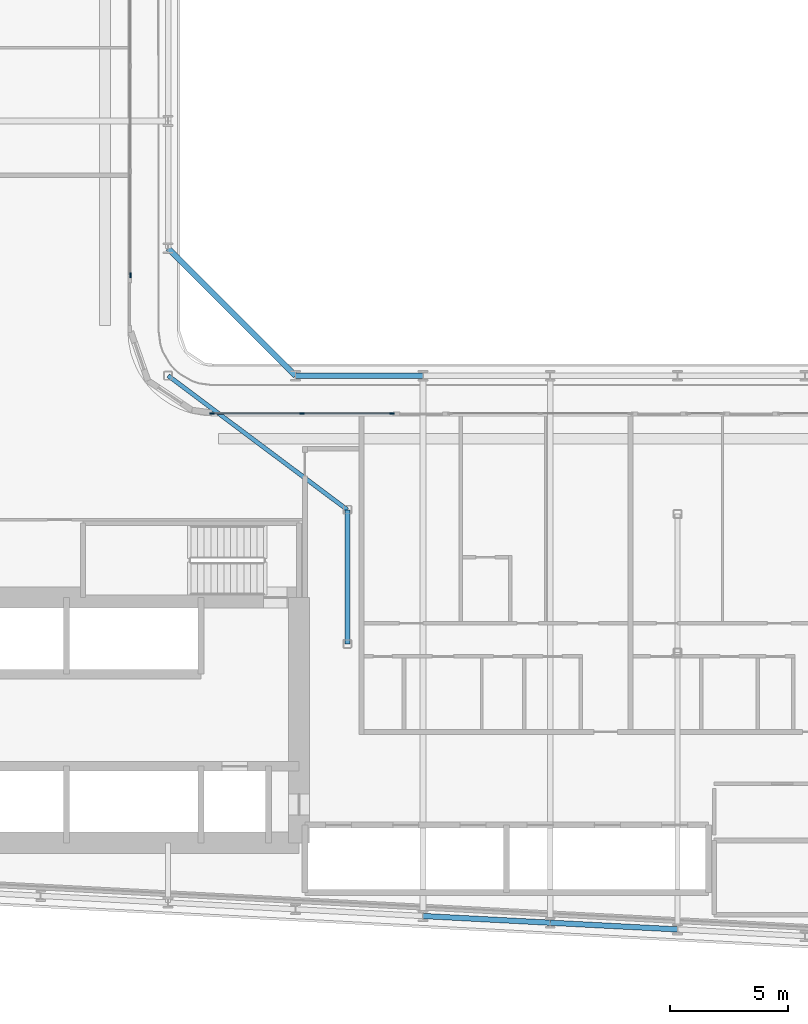
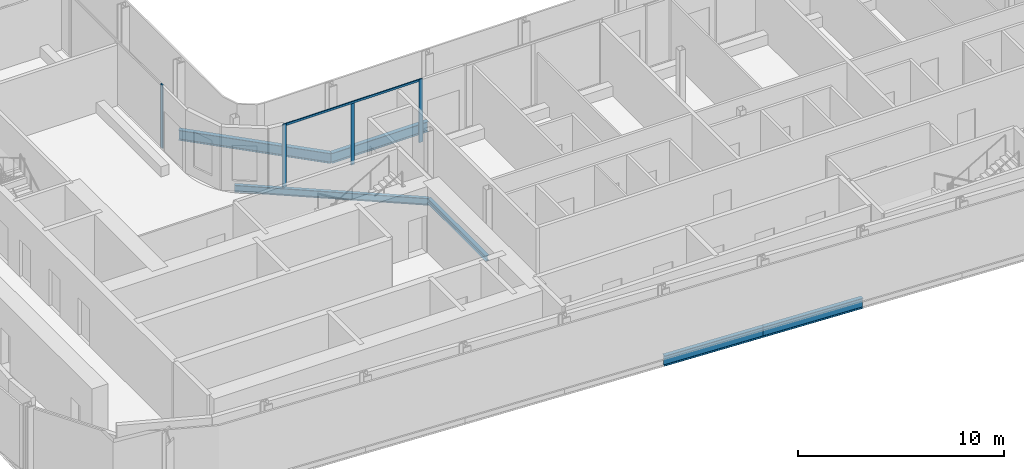
# One storey, part 4 of 25: 6 beams, 5 members, 2 elements without a shape of their own.
"""IFC4 building model written with IfcOpenShell, lengths in metres."""

from ifc_helpers import new_model, si_unit, direction, frame, origin, origin_2d, place, context, subcontext, project, spatial, rectangle, i_section, extrude, material, layer, layer_set, material_profile, profile_set, type_object, element, aggregate, save


model = new_model("IFC4")

# Units and contexts
model_context = context("Model", 3, precision=1e-05, world=origin(), true_north=direction((0.0, 1.0)))
body_context = subcontext(model_context, "Body", "Model", "MODEL_VIEW")
ifc_project = project(units=[si_unit("LENGTHUNIT", "METRE"), si_unit("AREAUNIT", "SQUARE_METRE"), si_unit("VOLUMEUNIT", "CUBIC_METRE"), si_unit("PLANEANGLEUNIT", "RADIAN"), si_unit("MASSUNIT", "GRAM", prefix="KILO")], contexts=[model_context])

# Site, building, storey
site_placement = place(None, origin())
site = spatial("IfcSite", under=ifc_project, at=site_placement, CompositionType="ELEMENT")
building_placement = place(site_placement, origin())
building = spatial("IfcBuilding", under=site, at=building_placement, Name="Kheshtan School and Residences Tower", CompositionType="ELEMENT")
storey_placement = place(building_placement, frame((0.0, 0.0, 109.699951171875)))
storey = spatial("IfcBuildingStorey", under=building, at=storey_placement, Name="L25", CompositionType="ELEMENT", Elevation=109.699951171875)

# Beams
ifc_material_1 = material(Name="Steel ASTM A992 Grade 50", Category="steel")
ifc_material_profile_1 = material_profile(ifc_material_1, i_section(OverallWidth=0.202880859375, OverallDepth=0.302978515625, WebThickness=0.007568359375, FlangeThickness=0.01318359375, FilletRadius=0.009033203125, at=origin_2d()), Name="W310x60")
ifc_profile_set_1 = profile_set([ifc_material_profile_1], Name="Steel ASTM A992 Grade 50")
beam_type_1 = type_object("IfcBeamType", Name="Beam FB1 W310x60 ASTM A992 Grade 50", PredefinedType="BEAM", material=ifc_profile_set_1)
beam_1_placement = place(storey_placement, frame((55.199951171875, 34.23193359375, -0.301513671875), z_axis=(0.0, 1.0, 0.0), x_axis=(-1.0, 0.0, 0.0)))
element("IfcBeam", 1, at=beam_1_placement, inside=storey, type_object=beam_type_1, Name="Floor beam IC", PredefinedType="BEAM", context=body_context, shape_type="SweptSolid", body=[
    extrude(i_section(OverallWidth=0.202880859375, OverallDepth=0.302978515625, WebThickness=0.007568359375, FlangeThickness=0.01318359375, FilletRadius=0.009033203125, at=origin_2d()), origin(), (0.0, 0.0, 1.0), 5.68408203125),
])
ifc_material_profile_2 = material_profile(ifc_material_1, i_section(OverallWidth=0.180908203125, OverallDepth=0.4169921875, WebThickness=0.010986328125, FlangeThickness=0.018310546875, FilletRadius=0.012451171875, at=origin_2d()), Name="W410x85")
ifc_profile_set_2 = profile_set([ifc_material_profile_2], Name="Steel ASTM A992 Grade 50")
beam_type_2 = type_object("IfcBeamType", Name="Beam FB3 W410x85 ASTM A992 Grade 50", PredefinedType="BEAM", material=ifc_profile_set_2)
beam_2_placement = place(storey_placement, frame((47.60009765625, 45.60009765625, -0.3583984375), z_axis=(0.800798828004, -0.598933416222, 0.0), x_axis=(0.598933416222, 0.800798828004, 0.0)))
element("IfcBeam", 2, at=beam_2_placement, inside=storey, type_object=beam_type_2, Name="Floor beam IC", PredefinedType="BEAM", context=body_context, shape_type="SweptSolid", body=[
    extrude(i_section(OverallWidth=0.180908203125, OverallDepth=0.4169921875, WebThickness=0.010986328125, FlangeThickness=0.018310546875, FilletRadius=0.012451171875, at=origin_2d()), origin(), (0.0, 0.0, 1.0), 9.490234375),
])
ifc_material_profile_3 = material_profile(ifc_material_1, i_section(OverallWidth=0.22802734375, OverallDepth=0.60302734375, WebThickness=0.010498046875, FlangeThickness=0.014892578125, FilletRadius=0.013427734375, at=origin_2d()), Name="W610x101")
ifc_profile_set_3 = profile_set([ifc_material_profile_3], Name="Steel ASTM A992 Grade 50")
beam_type_3 = type_object("IfcBeamType", Name="Beam SP2 W610x101 ASTM A992 Grade 50", PredefinedType="BEAM", material=ifc_profile_set_3)
beam_3_placement = place(storey_placement, frame((47.60009765625, 51.0, -0.451416015625), z_axis=(0.707106781187, -0.707106781187, 0.0), x_axis=(0.707106781187, 0.707106781187, 0.0)))
element("IfcBeam", 3, at=beam_3_placement, inside=storey, type_object=beam_type_3, Name="Spandrel beam C079-C061", PredefinedType="BEAM", context=body_context, shape_type="SweptSolid", body=[
    extrude(i_section(OverallWidth=0.22802734375, OverallDepth=0.60302734375, WebThickness=0.010498046875, FlangeThickness=0.014892578125, FilletRadius=0.013427734375, at=origin_2d()), origin(), (0.0, 0.0, 1.0), 7.63671875),
])
beam_4_placement = place(storey_placement, frame((53.0, 45.60009765625, -0.451416015625), z_axis=(1.0, 0.0, 0.0), x_axis=(0.0, 1.0, 0.0)))
element("IfcBeam", 4, at=beam_4_placement, inside=storey, type_object=beam_type_3, Name="Spandrel beam C061-C062", PredefinedType="BEAM", context=body_context, shape_type="SweptSolid", body=[
    extrude(i_section(OverallWidth=0.22802734375, OverallDepth=0.60302734375, WebThickness=0.010498046875, FlangeThickness=0.014892578125, FilletRadius=0.013427734375, at=origin_2d()), origin(), (0.0, 0.0, 1.0), 5.39990234375),
])
beam_5_placement = place(storey_placement, frame((69.199951171875, 22.126953125, -0.451416015625), z_axis=(-0.998620447272, 0.05250906864, 0.0), x_axis=(-0.05250906864, -0.998620447272, 0.0)))
element("IfcBeam", 5, at=beam_5_placement, inside=storey, type_object=beam_type_3, Name="Spandrel beam C014-C016", PredefinedType="BEAM", context=body_context, shape_type="SweptSolid", body=[
    extrude(i_section(OverallWidth=0.22802734375, OverallDepth=0.60302734375, WebThickness=0.010498046875, FlangeThickness=0.014892578125, FilletRadius=0.013427734375, at=origin_2d()), origin(), (0.0, 0.0, 1.0), 5.407470703125),
])
beam_6_placement = place(storey_placement, frame((63.800048828125, 22.410888671875, -0.451416015625), z_axis=(-0.998618203458, 0.052551724256, 0.0), x_axis=(-0.052551724256, -0.998618203458, 0.0)))
element("IfcBeam", 6, at=beam_6_placement, inside=storey, type_object=beam_type_3, Name="Spandrel beam C016-C018", PredefinedType="BEAM", context=body_context, shape_type="SweptSolid", body=[
    extrude(i_section(OverallWidth=0.22802734375, OverallDepth=0.60302734375, WebThickness=0.010498046875, FlangeThickness=0.014892578125, FilletRadius=0.013427734375, at=origin_2d()), origin(), (0.0, 0.0, 1.0), 5.40771484375),
])

# Curtain wall, member
ifc_material_2 = material(Name="Clear low-e glass in thermally broken aluminium frame", Category="aluminium")
ifc_layer = layer(ifc_material_2, 0.199951171875)
ifc_layer_set = layer_set([ifc_layer], Name="Curtain wall CW-L")
curtain_wall_type = type_object("IfcCurtainWallType", Name="Curtain wall CW-L", PredefinedType="NOTDEFINED", material=ifc_layer_set)
curtain_wall_1_placement = place(storey_placement, origin())
curtain_wall_1 = element("IfcCurtainWall", 7, at=curtain_wall_1_placement, inside=storey, type_object=curtain_wall_type, Name="Curtain wall CWL4b", PredefinedType="NOTDEFINED")
ifc_material_3 = material(Name="Thermally broken aluminium, dark bronze anodised", Category="aluminium")
ifc_material_profile_4 = material_profile(ifc_material_3, rectangle(XDim=0.06005859375, YDim=0.199951171875, at=origin_2d()), Name="CW-L mullion 60x200")
ifc_profile_set_4 = profile_set([ifc_material_profile_4], Name="Thermally broken aluminium, dark bronze anodised")
member_type_1 = type_object("IfcMemberType", Name="CW-L mullion 60x200", PredefinedType="MULLION", material=ifc_profile_set_4)
member_1_placement = place(storey_placement, frame((46.0, 49.860107421875, 0.0), z_axis=(0.0, 0.0, 1.0), x_axis=(1.0, 0.0, 0.0)))
member_1 = element("IfcMember", 8, at=member_1_placement, type_object=member_type_1, Name="CWL4b mullion 3", PredefinedType="MULLION", context=body_context, shape_type="SweptSolid", body=[
    extrude(rectangle(XDim=0.06005859375, YDim=0.199951171875, at=origin_2d()), origin(), (0.0, 0.0, 1.0), 3.75),
])
aggregate(curtain_wall_1, [member_1])

# Curtain wall, members
curtain_wall_2_placement = place(storey_placement, origin())
curtain_wall_2 = element("IfcCurtainWall", 9, at=curtain_wall_2_placement, inside=storey, type_object=curtain_wall_type, Name="Curtain wall CWL8", PredefinedType="NOTDEFINED")
member_2_placement = place(storey_placement, frame((49.4599609375, 44.0, 0.0), z_axis=(0.0, 0.0, 1.0), x_axis=(0.0, 1.0, 0.0)))
member_2 = element("IfcMember", 10, at=member_2_placement, type_object=member_type_1, Name="CWL8 mullion 1", PredefinedType="MULLION", context=body_context, shape_type="SweptSolid", body=[
    extrude(rectangle(XDim=0.06005859375, YDim=0.199951171875, at=origin_2d()), origin(), (0.0, 0.0, 1.0), 3.75),
])
member_3_placement = place(storey_placement, frame((53.277099609375, 44.0, 0.0), z_axis=(0.0, 0.0, 1.0), x_axis=(0.0, 1.0, 0.0)))
member_3 = element("IfcMember", 11, at=member_3_placement, type_object=member_type_1, Name="CWL8 mullion 2", PredefinedType="MULLION", context=body_context, shape_type="SweptSolid", body=[
    extrude(rectangle(XDim=0.06005859375, YDim=0.199951171875, at=origin_2d()), origin(), (0.0, 0.0, 1.0), 3.630126953125),
])
member_4_placement = place(storey_placement, frame((57.093994140625, 44.0, 0.0), z_axis=(0.0, 0.0, 1.0), x_axis=(0.0, 1.0, 0.0)))
member_4 = element("IfcMember", 12, at=member_4_placement, type_object=member_type_1, Name="CWL8 mullion 3", PredefinedType="MULLION", context=body_context, shape_type="SweptSolid", body=[
    extrude(rectangle(XDim=0.06005859375, YDim=0.199951171875, at=origin_2d()), origin(), (0.0, 0.0, 1.0), 3.75),
])
ifc_material_profile_5 = material_profile(ifc_material_3, rectangle(XDim=0.06005859375, YDim=0.1201171875, at=origin_2d()), Name="CW-L transom 60x120")
ifc_profile_set_5 = profile_set([ifc_material_profile_5], Name="Thermally broken aluminium, dark bronze anodised")
member_type_2 = type_object("IfcMemberType", Name="CW-L transom 60x120", PredefinedType="USERDEFINED", material=ifc_profile_set_5)
member_5_placement = place(storey_placement, frame((49.489990234375, 44.0, 3.68994140625), z_axis=(1.0, 0.0, 0.0), x_axis=(0.0, 1.0, 0.0)))
member_5 = element("IfcMember", 13, at=member_5_placement, type_object=member_type_2, Name="CWL8 transom 1", ObjectType="TRANSOM", PredefinedType="USERDEFINED", context=body_context, shape_type="SweptSolid", body=[
    extrude(rectangle(XDim=0.06005859375, YDim=0.1201171875, at=origin_2d()), origin(), (0.0, 0.0, 1.0), 7.573974609375),
])
aggregate(curtain_wall_2, [member_2, member_3, member_4, member_5])

save(model, "model.ifc")
